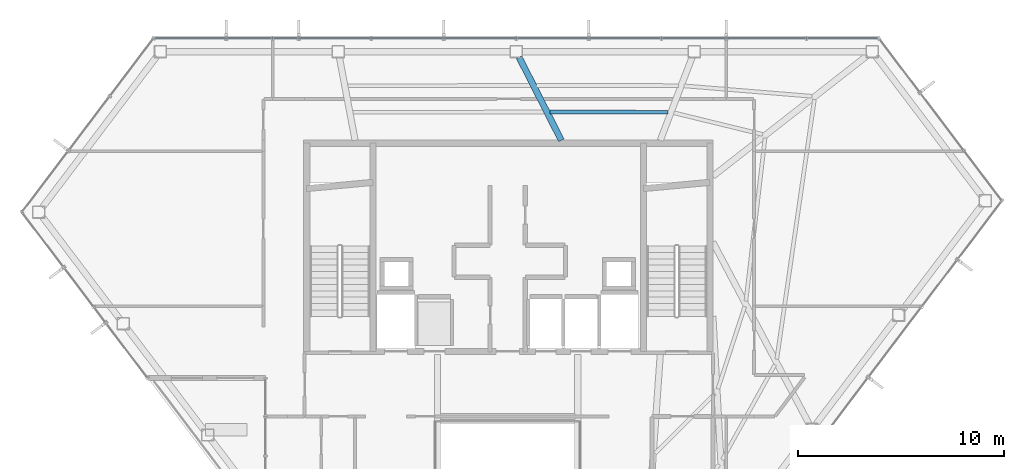
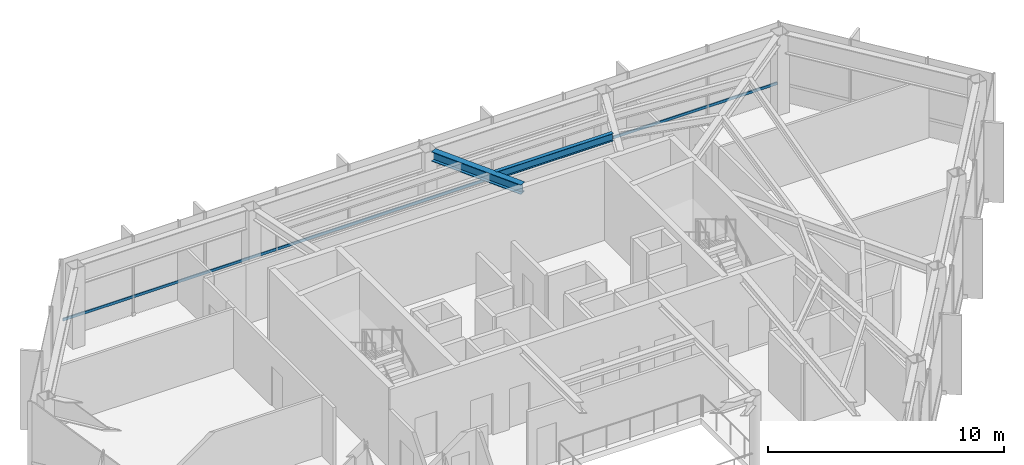
# One storey, part 10 of 23: 2 beams, 1 member, 1 element without a shape of its own.
"""IFC4 building model written with IfcOpenShell, lengths in metres."""

from ifc_helpers import new_model, si_unit, direction, frame, origin, origin_2d, place, context, subcontext, project, spatial, hollow_rectangle, i_section, extrude, material, layer, layer_set, material_profile, profile_set, type_object, element, aggregate, save


model = new_model("IFC4")

# Units and contexts
model_context = context("Model", 3, precision=1e-05, world=origin(), true_north=direction((0.0, 1.0)))
body_context = subcontext(model_context, "Body", "Model", "MODEL_VIEW")
ifc_project = project(units=[si_unit("LENGTHUNIT", "METRE"), si_unit("AREAUNIT", "SQUARE_METRE"), si_unit("VOLUMEUNIT", "CUBIC_METRE"), si_unit("PLANEANGLEUNIT", "RADIAN"), si_unit("MASSUNIT", "GRAM", prefix="KILO")], contexts=[model_context])

# Site, building, storey
site_placement = place(None, origin())
site = spatial("IfcSite", under=ifc_project, at=site_placement, CompositionType="ELEMENT")
building_placement = place(site_placement, origin())
building = spatial("IfcBuilding", under=site, at=building_placement, Name="Zarrinselat Tower", CompositionType="ELEMENT")
storey_placement = place(building_placement, frame((0.0, 0.0, 199.919921875)))
storey = spatial("IfcBuildingStorey", under=building, at=storey_placement, Name="L49", CompositionType="ELEMENT", Elevation=199.919921875)

# Beams
ifc_material_1 = material(Name="Steel S355J2", Category="steel")
ifc_material_profile_1 = material_profile(ifc_material_1, i_section(OverallWidth=0.300048828125, OverallDepth=0.5, WebThickness=0.014404296875, FlangeThickness=0.028076171875, at=origin_2d()), Name="HEB 500")
ifc_profile_set_1 = profile_set([ifc_material_profile_1], Name="Steel S355J2")
beam_type_1 = type_object("IfcBeamType", Name="BM-HEB500", PredefinedType="BEAM", material=ifc_profile_set_1)
beam_1_placement = place(storey_placement, frame((38.952880859375, 47.569580078125, 3.8701171875), z_axis=(0.452930204278, -0.891545977532, 0.0), x_axis=(0.891545977532, 0.452930204278, 0.0)))
element("IfcBeam", 1, at=beam_1_placement, inside=storey, type_object=beam_type_1, Name="L49 Radial Primary Girder RG03", PredefinedType="BEAM", context=body_context, shape_type="SweptSolid", body=[
    extrude(i_section(OverallWidth=0.300048828125, OverallDepth=0.5, WebThickness=0.014404296875, FlangeThickness=0.028076171875, at=origin_2d()), origin(), (0.0, 0.0, 1.0), 4.519775390625),
])
ifc_material_2 = material(Name="Steel S355J2", Category="steel")
ifc_material_profile_2 = material_profile(ifc_material_2, i_section(OverallWidth=0.179931640625, OverallDepth=0.39990234375, WebThickness=0.008544921875, FlangeThickness=0.013427734375, at=origin_2d()), Name="IPE 400")
ifc_profile_set_2 = profile_set([ifc_material_profile_2], Name="Steel S355J2")
beam_type_2 = type_object("IfcBeamType", Name="BM-IPE400", PredefinedType="JOIST", material=ifc_profile_set_2)
beam_2_placement = place(storey_placement, frame((40.444091796875, 44.909912109375, 3.920166015625), z_axis=(0.999999768398, -0.000680590255, 0.0), x_axis=(0.000680590255, 0.999999768398, 0.0)))
element("IfcBeam", 2, at=beam_2_placement, inside=storey, type_object=beam_type_2, Name="L49 Composite Floor Joist 7-2", PredefinedType="JOIST", context=body_context, shape_type="SweptSolid", body=[
    extrude(i_section(OverallWidth=0.179931640625, OverallDepth=0.39990234375, WebThickness=0.008544921875, FlangeThickness=0.013427734375, at=origin_2d()), origin(), (0.0, 0.0, 1.0), 5.739501953125),
])

# Curtain wall, member
ifc_material_3 = material(Name="Extruded Aluminium Alloy EN AW-6063 T6", Category="aluminium")
ifc_layer = layer(ifc_material_3, 0.195068359375)
ifc_layer_set = layer_set([ifc_layer], Name="Extruded Aluminium Alloy EN AW-6063 T6")
curtain_wall_type = type_object("IfcCurtainWallType", Name="CWS-GDN", PredefinedType="NOTDEFINED", material=ifc_layer_set)
curtain_wall_placement = place(storey_placement, origin())
curtain_wall = element("IfcCurtainWall", 3, at=curtain_wall_placement, inside=storey, type_object=curtain_wall_type, Name="L49 Unitised Curtain Wall CW-L49-E02", PredefinedType="NOTDEFINED")
ifc_material_4 = material(Name="Extruded Aluminium Alloy EN AW-6063 T6", Category="aluminium")
ifc_material_profile_3 = material_profile(ifc_material_4, hollow_rectangle(XDim=0.06005859375, YDim=0.139892578125, WallThickness=0.00390625, at=origin_2d()), Name="RHS 140x60x4")
ifc_profile_set_3 = profile_set([ifc_material_profile_3], Name="Extruded Aluminium Alloy EN AW-6063 T6")
member_type = type_object("IfcMemberType", Name="MEM-CW-TRN", PredefinedType="USERDEFINED", material=ifc_profile_set_3)
member_placement = place(storey_placement, frame((21.31982421875, 48.489013671875, 0.9501953125), z_axis=(1.0, 0.0, 0.0), x_axis=(0.0, 1.0, 0.0)))
member = element("IfcMember", 4, at=member_placement, type_object=member_type, Name="CW-L49-E02 Transom 1", ObjectType="TRANSOM", PredefinedType="USERDEFINED", context=body_context, shape_type="SweptSolid", body=[
    extrude(hollow_rectangle(XDim=0.06005859375, YDim=0.139892578125, WallThickness=0.00390625, at=origin_2d()), origin(), (0.0, 0.0, 1.0), 34.99267578125),
])
aggregate(curtain_wall, [member])

save(model, "model.ifc")
